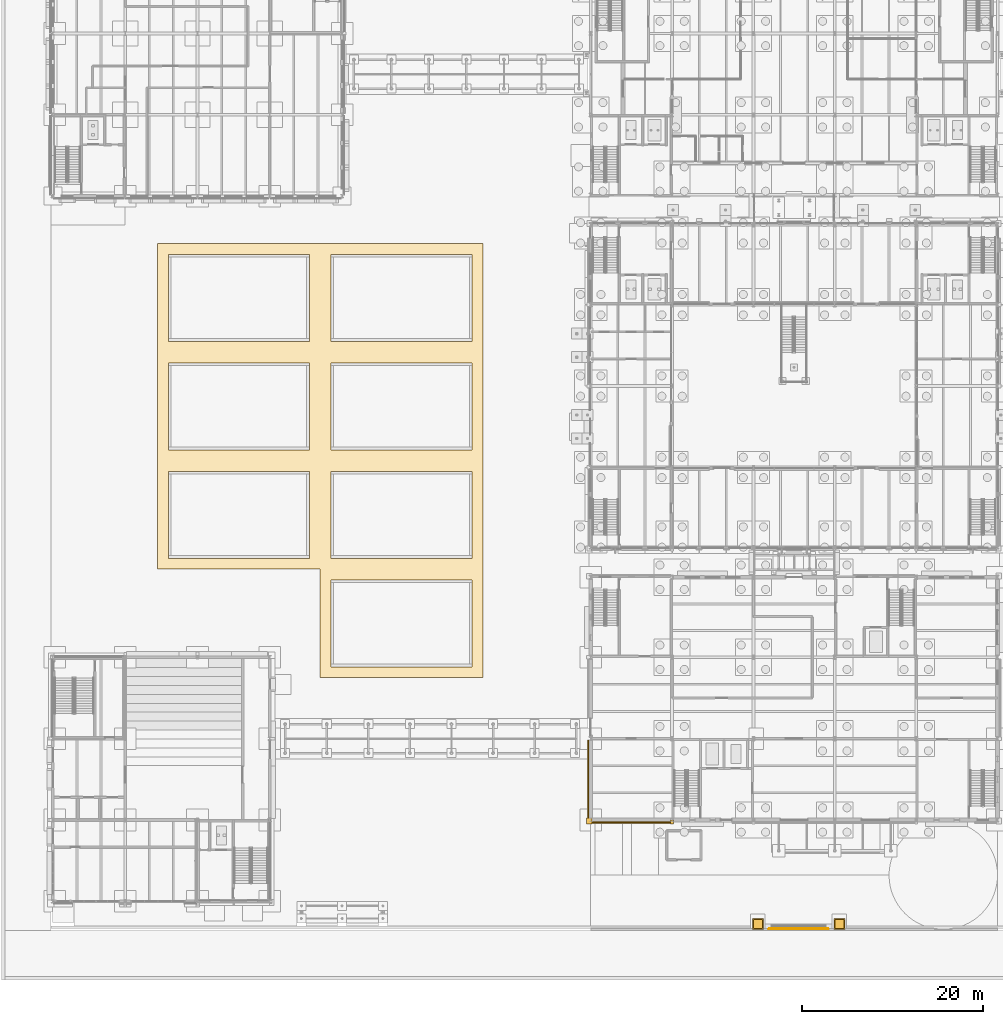
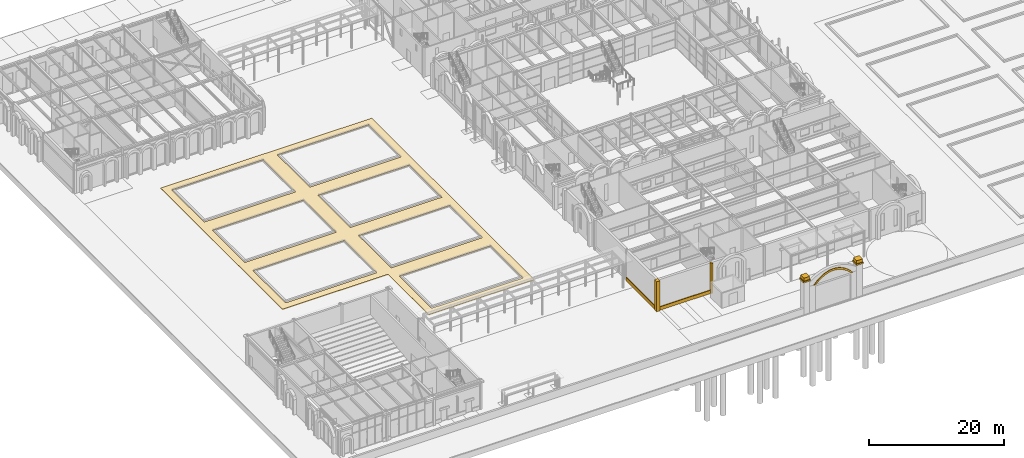
# One storey, part 100 of 126: 10 coverings.
"""IFC4 building model written with IfcOpenShell, lengths in metres."""

import ifcopenshell
import ifcopenshell.guid

model = None  # the IFC model being written
_history = None  # IfcOwnerHistory: only IFC2X3 demands one
_inside = {}  # id of a spatial element -> (the spatial element, [elements in it])
_under = {}  # id of a project, library or spatial element -> (it, [spatial elements below it])
_declared = {}  # id of a project -> (the project, [libraries it declares])
_typed = {}  # id of a type object -> (the type object, [elements of that type])
_made_of = {}  # id of a material, layer set ... -> (it, [elements and type objects made of it])


def new_model(schema):
    """Start an empty IFC model of exactly this schema.

    Asked for "IFC4X3", IfcOpenShell would pick the latest addendum, in which some entities
    have other attributes; the version numbers below select the first issue.
    IFC2X3 requires an IfcOwnerHistory on every rooted entity: one is made here for all.
    """
    global model, _history
    if schema == "IFC4X3":
        model = ifcopenshell.file(schema_version=(4, 3, 0, 0))
    else:
        model = ifcopenshell.file(schema=schema)
    _inside.clear()
    _under.clear()
    _declared.clear()
    _typed.clear()
    _made_of.clear()
    _history = None
    if model.schema == "IFC2X3":
        org = make("IfcOrganization", Name="unknown")
        user = make(
            "IfcPersonAndOrganization",
            ThePerson=make("IfcPerson", FamilyName="unknown"),
            TheOrganization=org,
        )
        app = make(
            "IfcApplication",
            ApplicationDeveloper=org,
            Version="unknown",
            ApplicationFullName="unknown",
            ApplicationIdentifier="unknown",
        )
        _history = make(
            "IfcOwnerHistory",
            OwningUser=user,
            OwningApplication=app,
            ChangeAction="ADDED",
            CreationDate=0,
        )
    return model


def make(cls, **values):
    """One entity of the class cls with the attributes given. An attribute that is None is left unset."""
    return model.create_entity(
        cls, **{name: value for name, value in values.items() if value is not None}
    )


def rooted(cls, **values):
    """An entity with a GlobalId (a new one), such as an element, a storey or a relation."""
    return make(cls, GlobalId=ifcopenshell.guid.new(), OwnerHistory=_history, **values)


def si_unit(unit_type, name, prefix=None):
    """IfcSIUnit, for example si_unit("LENGTHUNIT", "METRE", prefix="MILLI")."""
    return make("IfcSIUnit", UnitType=unit_type, Prefix=prefix, Name=name)


def assignment(units):
    """IfcUnitAssignment: the units of a project."""
    return None if units is None else make("IfcUnitAssignment", Units=units)


def point(xyz):
    """IfcCartesianPoint."""
    return None if xyz is None else make("IfcCartesianPoint", Coordinates=xyz)


def direction(xyz):
    """IfcDirection."""
    return None if xyz is None else make("IfcDirection", DirectionRatios=xyz)


def frame(location, z_axis=None, x_axis=None):
    """IfcAxis2Placement3D, a coordinate frame: its origin and axes. An axis left out is left unset."""
    return make(
        "IfcAxis2Placement3D",
        Location=point(location),
        Axis=direction(z_axis),
        RefDirection=direction(x_axis),
    )


def frame_2d(location, x_axis=None):
    """IfcAxis2Placement2D, a coordinate frame in the plane: its origin and x axis."""
    return make(
        "IfcAxis2Placement2D", Location=point(location), RefDirection=direction(x_axis)
    )


def origin():
    """The frame at (0, 0, 0) with its axes left unset."""
    return frame((0.0, 0.0, 0.0))


def origin_2d():
    """The frame at (0, 0) in the plane with its x axis left unset."""
    return frame_2d((0.0, 0.0))


def place(relative_to, where):
    """IfcLocalPlacement: puts the frame where relative to a parent placement (None: the world)."""
    return make(
        "IfcLocalPlacement", PlacementRelTo=relative_to, RelativePlacement=where
    )


def context(
    kind, dimensions, precision=None, world=None, true_north=None, identifier=None
):
    """IfcGeometricRepresentationContext, for example the 3D "Model" context."""
    return make(
        "IfcGeometricRepresentationContext",
        ContextIdentifier=identifier,
        ContextType=kind,
        CoordinateSpaceDimension=dimensions,
        Precision=precision,
        WorldCoordinateSystem=world,
        TrueNorth=true_north,
    )


def subcontext(parent, identifier, kind, view, scale=None):
    """IfcGeometricRepresentationSubContext, for example "Body" below "Model"."""
    return make(
        "IfcGeometricRepresentationSubContext",
        ContextIdentifier=identifier,
        ContextType=kind,
        ParentContext=parent,
        TargetScale=scale,
        TargetView=view,
    )


def project(units=None, contexts=None):
    """IfcProject with its units and contexts."""
    return rooted(
        "IfcProject",
        Name="project",
        RepresentationContexts=contexts,
        UnitsInContext=assignment(units),
    )


def spatial(cls, under=None, at=None, **own):
    """A site, building, storey or space (cls), placed at a placement, below another one or the project."""
    s = rooted(cls, ObjectPlacement=at, **own)
    if under is not None:
        _under.setdefault(under.id(), (under, []))[1].append(s)
    return s


def polyline(points):
    """IfcPolyline through the points."""
    return make("IfcPolyline", Points=[point(p) for p in points])


def profile(cls, at=None, kind="AREA", **sizes):
    """A parametric profile (cls). Its sizes go by their IFC names, for example OverallWidth=200.0."""
    return make(cls, ProfileType=kind, Position=at, **sizes)


def rectangle(**sizes):
    """IfcRectangleProfileDef."""
    return profile("IfcRectangleProfileDef", **sizes)


def outline(outer, holes=None, kind="AREA"):
    """IfcArbitraryClosedProfileDef: a profile drawn as a closed curve; with holes, ...WithVoids."""
    if holes is None:
        return make("IfcArbitraryClosedProfileDef", ProfileType=kind, OuterCurve=outer)
    return make(
        "IfcArbitraryProfileDefWithVoids",
        ProfileType=kind,
        OuterCurve=outer,
        InnerCurves=holes,
    )


def extrude(swept, where, along, depth):
    """IfcExtrudedAreaSolid: the profile swept, set in the frame where, extruded along a direction by depth."""
    return make(
        "IfcExtrudedAreaSolid",
        SweptArea=swept,
        Position=where,
        ExtrudedDirection=direction(along),
        Depth=depth,
    )


def shape(context_of_items, identifier, shape_type, items):
    """IfcShapeRepresentation: the items that make up one representation, for example the "Body"."""
    return make(
        "IfcShapeRepresentation",
        ContextOfItems=context_of_items,
        RepresentationIdentifier=identifier,
        RepresentationType=shape_type,
        Items=items,
    )


def material(Name=None, Category=None):
    """IfcMaterial."""
    return make("IfcMaterial", Name=Name, Category=Category)


def layer(
    of_material, thickness, ventilated=None, Name=None, Category=None, Priority=None
):
    """IfcMaterialLayer: one layer of a wall or slab, of a material (None: an air gap)."""
    return make(
        "IfcMaterialLayer",
        Material=of_material,
        LayerThickness=thickness,
        IsVentilated=ventilated,
        Name=Name,
        Category=Category,
        Priority=Priority,
    )


def layer_set(layers, Name=None):
    """IfcMaterialLayerSet."""
    return make("IfcMaterialLayerSet", MaterialLayers=layers, LayerSetName=Name)


def made_of(thing, what):
    """Note that an element or type object is made of a material, layer set ...; save() writes the relation."""
    if what is not None:
        _made_of.setdefault(what.id(), (what, []))[1].append(thing)
    return thing


def type_object(cls, material=None, **own):
    """A type object (cls), such as IfcWallType, which elements share."""
    return made_of(rooted(cls, **own), material)


def element(
    cls,
    number,
    at=None,
    inside=None,
    cuts=None,
    type_object=None,
    material=None,
    context=None,
    identifier="Body",
    shape_type=None,
    held_by="IfcProductDefinitionShape",
    body=None,
    shapes=None,
    **own,
):
    """One element of the class cls, such as IfcWall. Its Tag is "e" and its number.

    at: its placement. inside: the storey or other place that contains it. cuts: it is an
    opening in that element (IfcRelVoidsElement). A single representation is given by context,
    identifier, shape_type and body (its items); several are given by shapes. held_by: the class
    of the entity that holds the representations. save() writes the other relations.
    """
    e = rooted(cls, Tag="e%d" % number, ObjectPlacement=at, **own)
    if body is not None:
        shapes = [shape(context, identifier, shape_type, body)]
    if shapes is not None:
        e.Representation = make(held_by, Representations=shapes)
    if inside is not None:
        _inside.setdefault(inside.id(), (inside, []))[1].append(e)
    if cuts is not None:
        rooted(
            "IfcRelVoidsElement", RelatingBuildingElement=cuts, RelatedOpeningElement=e
        )
    if type_object is not None:
        _typed.setdefault(type_object.id(), (type_object, []))[1].append(e)
    return made_of(e, material)


def aggregate(whole, parts):
    """IfcRelAggregates: a whole, such as a stair, and the parts it consists of."""
    return rooted("IfcRelAggregates", RelatingObject=whole, RelatedObjects=parts)


def save(model, path):
    """Write the relations noted so far, then the file.

    IfcRelAggregates (storeys below a building ...), IfcRelContainedInSpatialStructure (elements
    in a storey), IfcRelDefinesByType, IfcRelAssociatesMaterial and IfcRelDeclares: one each for
    every whole, place, type object, material and project.
    """
    for whole, parts in _under.values():
        aggregate(whole, parts)
    for where, things in _inside.values():
        rooted(
            "IfcRelContainedInSpatialStructure",
            RelatedElements=things,
            RelatingStructure=where,
        )
    for kind, things in _typed.values():
        rooted("IfcRelDefinesByType", RelatedObjects=things, RelatingType=kind)
    for what, things in _made_of.values():
        rooted("IfcRelAssociatesMaterial", RelatedObjects=things, RelatingMaterial=what)
    for by, libraries in _declared.values():
        rooted("IfcRelDeclares", RelatingContext=by, RelatedDefinitions=libraries)
    model.write(path)


model = new_model("IFC4")

# Units and contexts
model_context = context("Model", 3, precision=1e-05, world=origin(), true_north=direction((0.0, 1.0)))
body_context = subcontext(model_context, "Body", "Model", "MODEL_VIEW")
ifc_project = project(units=[si_unit("LENGTHUNIT", "METRE"), si_unit("AREAUNIT", "SQUARE_METRE"), si_unit("VOLUMEUNIT", "CUBIC_METRE"), si_unit("PLANEANGLEUNIT", "RADIAN"), si_unit("MASSUNIT", "GRAM", prefix="KILO")], contexts=[model_context])

# Site, building, storey
site_placement = place(None, origin())
site = spatial("IfcSite", under=ifc_project, at=site_placement, CompositionType="ELEMENT")
building_placement = place(site_placement, origin())
building = spatial("IfcBuilding", under=site, at=building_placement, Name="Kallimachos Central Library", CompositionType="ELEMENT")
storey_placement = place(building_placement, origin())
storey = spatial("IfcBuildingStorey", under=building, at=storey_placement, Name="L00", CompositionType="ELEMENT", Elevation=0.0)

# Coverings
ifc_material_1 = material(Name="Granite paving", Category="masonry")
ifc_layer_1 = layer(ifc_material_1, 0.14990234375)
ifc_layer_set_1 = layer_set([ifc_layer_1], Name="Garden path stone paving 150")
covering_type_1 = type_object("IfcCoveringType", Name="Garden path stone paving 150", PredefinedType="FLOORING", material=ifc_layer_set_1)
covering_1_placement = place(storey_placement, frame((0.0, 0.0, -0.14990234375)))
element("IfcCovering", 1, at=covering_1_placement, inside=storey, type_object=covering_type_1, Name="Garden court path", PredefinedType="FLOORING", context=body_context, shape_type="SweptSolid", body=[
    extrude(outline(polyline([(17.574951171875, 81.75), (53.574951171875, 81.75), (53.574951171875, 33.75), (35.574951171875, 33.75), (35.574951171875, 45.75), (17.574951171875, 45.75), (17.574951171875, 81.75)]), holes=[polyline([(36.77490234375, 44.550048828125), (36.77490234375, 34.949951171875), (52.375, 34.949951171875), (52.375, 44.550048828125), (36.77490234375, 44.550048828125)]), polyline([(18.77490234375, 56.550048828125), (18.77490234375, 46.949951171875), (34.375, 46.949951171875), (34.375, 56.550048828125), (18.77490234375, 56.550048828125)]), polyline([(52.375, 56.550048828125), (36.77490234375, 56.550048828125), (36.77490234375, 46.949951171875), (52.375, 46.949951171875), (52.375, 56.550048828125)]), polyline([(18.77490234375, 68.550048828125), (18.77490234375, 58.949951171875), (34.375, 58.949951171875), (34.375, 68.550048828125), (18.77490234375, 68.550048828125)]), polyline([(52.375, 68.550048828125), (36.77490234375, 68.550048828125), (36.77490234375, 58.949951171875), (52.375, 58.949951171875), (52.375, 68.550048828125)]), polyline([(18.77490234375, 80.550048828125), (18.77490234375, 70.949951171875), (34.375, 70.949951171875), (34.375, 80.550048828125), (18.77490234375, 80.550048828125)]), polyline([(52.375, 80.550048828125), (36.77490234375, 80.550048828125), (36.77490234375, 70.949951171875), (52.375, 70.949951171875), (52.375, 80.550048828125)])]), origin(), (0.0, 0.0, 1.0), 0.14990234375),
])
ifc_material_2 = material(Name="Glazed ceramic ochre tile")
ifc_layer_2 = layer(ifc_material_2, 0.10009765625)
ifc_layer_set_2 = layer_set([ifc_layer_2], Name="Gate arch band 100")
covering_type_2 = type_object("IfcCoveringType", Name="Gate arch band 100", PredefinedType="MOLDING", material=ifc_layer_set_2)
covering_2_placement = place(storey_placement, frame((85.5, 5.89990234375, 4.800048828125), z_axis=(0.0, -1.0, 0.0), x_axis=(0.711262050787, 0.0, 0.70292694863)))
element("IfcCovering", 2, at=covering_2_placement, inside=storey, type_object=covering_type_2, Name="Gate arch band", PredefinedType="MOLDING", context=body_context, shape_type="SweptSolid", body=[
    extrude(outline(polyline([(0.0, 0.0), (0.5272318403391503, 0.0), (1.0129333287328957, -0.04202280671155584), (1.4601934996234567, -0.12294275682554356), (1.8714149353547818, -0.24032877887931126), (2.248656992221685, -0.3920970973334429), (2.5931209613961403, -0.5770321764566122), (2.9061797470746904, -0.7937448325558758), (3.188176575306471, -1.041887769707997), (3.439626285165185, -1.3209400440281223), (3.6600140375771293, -1.6314225994011053), (3.848996606493168, -1.9736827317501824), (4.00520108771676, -2.349109624768297), (4.127426190075929, -2.758918814186776), (4.213612557275862, -3.2051940755450348), (4.261357606972611, -3.6903664803057254), (4.267572304723956, -4.217561691777972), (4.516583481684167, -4.463654769008181), (4.543125843942418, -3.841143784416404), (4.516294520623037, -3.27229205490164), (4.440898746288022, -2.7529279595109553), (4.320540359516246, -2.279059630064186), (4.157793555676227, -1.8480823471370633), (3.9547156561257264, -1.4575670742039841), (3.713198474009092, -1.106294205659523), (3.434098039512112, -0.7930502407094036), (3.117585965659354, -0.5176615313920081), (2.7634906394262497, -0.2803017256689546), (2.3707823826653938, -0.08201271130995091), (1.937743030194057, 0.07581429305500864), (1.4624889086160944, 0.19057863787575446), (0.9422721746013714, 0.2598472167525845), (0.3733173416093963, 0.2797997745299027), (-0.2490111769602113, 0.24609307723020882), (0.0, 0.0)])), origin(), (0.0, 0.0, -1.0), 0.10009765625),
])
ifc_material_3 = material(Name="Pentelic marble capital", Category="masonry")
ifc_layer_3 = layer(ifc_material_3, 0.25)
ifc_layer_set_3 = layer_set([ifc_layer_3], Name="Gate pier capital 1200")
covering_type_3 = type_object("IfcCoveringType", Name="Gate pier capital 1200", PredefinedType="MOLDING", material=ifc_layer_set_3)
for number, where, z_axis, x_axis, name in (
    (3, (84.0, 6.5, 5.800048828125), (0.0, 0.0, 1.0), (1.0, 0.0, 0.0), "Gate pier capital West"),
    (4, (93.0, 6.5, 5.800048828125), (0.0, 0.0, 1.0), (1.0, 0.0, 0.0), "Gate pier capital East"),
):
    element("IfcCovering", number, at=place(storey_placement, frame(where, z_axis=z_axis, x_axis=x_axis)), inside=storey, type_object=covering_type_3, Name=name, PredefinedType="MOLDING", context=body_context, shape_type="SweptSolid", body=[
        extrude(rectangle(XDim=1.199951171875, YDim=1.199951171875, at=origin_2d()), origin(), (0.0, 0.0, 1.0), 0.25),
    ])
ifc_material_4 = material(Name="Pentelic marble pinnacle", Category="masonry")
ifc_layer_4 = layer(ifc_material_4, 0.550048828125)
ifc_layer_set_4 = layer_set([ifc_layer_4], Name="Gate pier finial 1000")
covering_type_4 = type_object("IfcCoveringType", Name="Gate pier finial 1000", PredefinedType="MOLDING", material=ifc_layer_set_4)
for number, where, z_axis, x_axis, name in (
    (5, (84.0, 6.5, 6.0498046875), (0.0, 0.0, 1.0), (1.0, 0.0, 0.0), "Gate pier finial West"),
    (6, (93.0, 6.5, 6.0498046875), (0.0, 0.0, 1.0), (1.0, 0.0, 0.0), "Gate pier finial East"),
):
    element("IfcCovering", number, at=place(storey_placement, frame(where, z_axis=z_axis, x_axis=x_axis)), inside=storey, type_object=covering_type_4, Name=name, PredefinedType="MOLDING", context=body_context, shape_type="SweptSolid", body=[
        extrude(rectangle(XDim=1.0, YDim=1.0, at=origin_2d()), origin(), (0.0, 0.0, 1.0), 0.550048828125),
    ])
ifc_material_5 = material(Name="Pentelic marble pilaster", Category="masonry")
ifc_layer_5 = layer(ifc_material_5, 0.25)
ifc_layer_set_5 = layer_set([ifc_layer_5], Name="Stone pilaster 250")
covering_type_5 = type_object("IfcCoveringType", Name="Stone pilaster 250", PredefinedType="CLADDING", material=ifc_layer_set_5)
covering_3_placement = place(storey_placement, frame((74.5, 17.77490234375, 0.0), z_axis=(0.0, 0.0, 1.0), x_axis=(1.0, 0.0, 0.0)))
element("IfcCovering", 7, at=covering_3_placement, inside=storey, type_object=covering_type_5, Name="Stone pilaster 250 -L00-010", PredefinedType="CLADDING", context=body_context, shape_type="SweptSolid", body=[
    extrude(rectangle(XDim=0.300048828125, YDim=0.449951171875, at=origin_2d()), origin(), (0.0, 0.0, 1.0), 5.39990234375),
])
covering_4_placement = place(storey_placement, frame((65.35009765625, 17.875, 0.0), z_axis=(0.0, 0.0, 1.0), x_axis=(1.0, 0.0, 0.0)))
element("IfcCovering", 8, at=covering_4_placement, inside=storey, type_object=covering_type_5, Name="Stone pilaster 250 corner", PredefinedType="CLADDING", context=body_context, shape_type="SweptSolid", body=[
    extrude(rectangle(XDim=0.60009765625, YDim=0.64990234375, at=origin_2d()), origin(), (0.0, 0.0, 1.0), 5.39990234375),
])
ifc_material_6 = material(Name="Pentelic marble plinth course", Category="masonry")
ifc_layer_6 = layer(ifc_material_6, 0.14990234375)
ifc_layer_set_6 = layer_set([ifc_layer_6], Name="Stone plinth course 600")
covering_type_6 = type_object("IfcCoveringType", Name="Stone plinth course 600", PredefinedType="CLADDING", material=ifc_layer_set_6)
covering_5_placement = place(storey_placement, frame((70.0, 17.72509765625, 0.0), z_axis=(0.0, 0.0, 1.0), x_axis=(1.0, 0.0, 0.0)))
element("IfcCovering", 9, at=covering_5_placement, inside=storey, type_object=covering_type_6, Name="Stone plinth course 600 -L00-010", PredefinedType="CLADDING", context=body_context, shape_type="SweptSolid", body=[
    extrude(rectangle(XDim=8.699951171875, YDim=0.14990234375, at=origin_2d()), origin(), (0.0, 0.0, 1.0), 0.60009765625),
])
covering_6_placement = place(storey_placement, frame((65.22509765625, 22.5, 0.0), z_axis=(0.0, 0.0, 1.0), x_axis=(1.0, 0.0, 0.0)))
element("IfcCovering", 10, at=covering_6_placement, inside=storey, type_object=covering_type_6, Name="Stone plinth course 600 -L00-020", PredefinedType="CLADDING", context=body_context, shape_type="SweptSolid", body=[
    extrude(rectangle(XDim=0.14990234375, YDim=8.60009765625, at=origin_2d()), origin(), (0.0, 0.0, 1.0), 0.60009765625),
])

save(model, "model.ifc")
